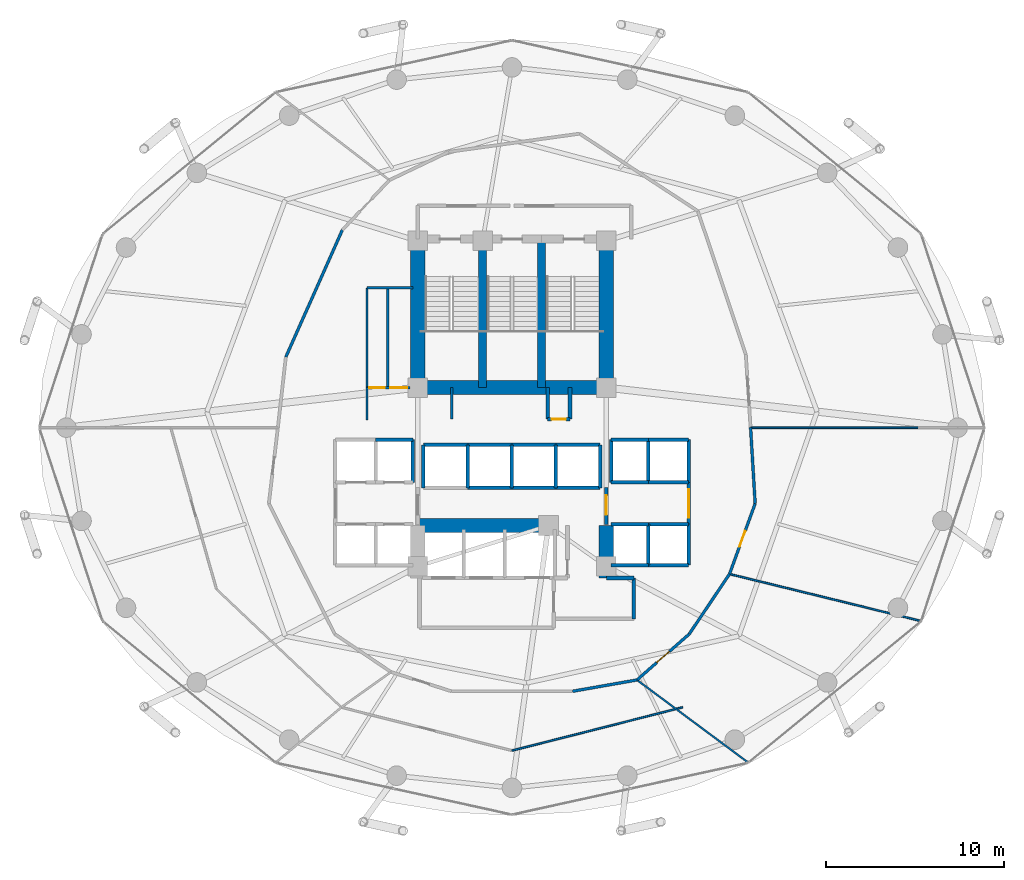
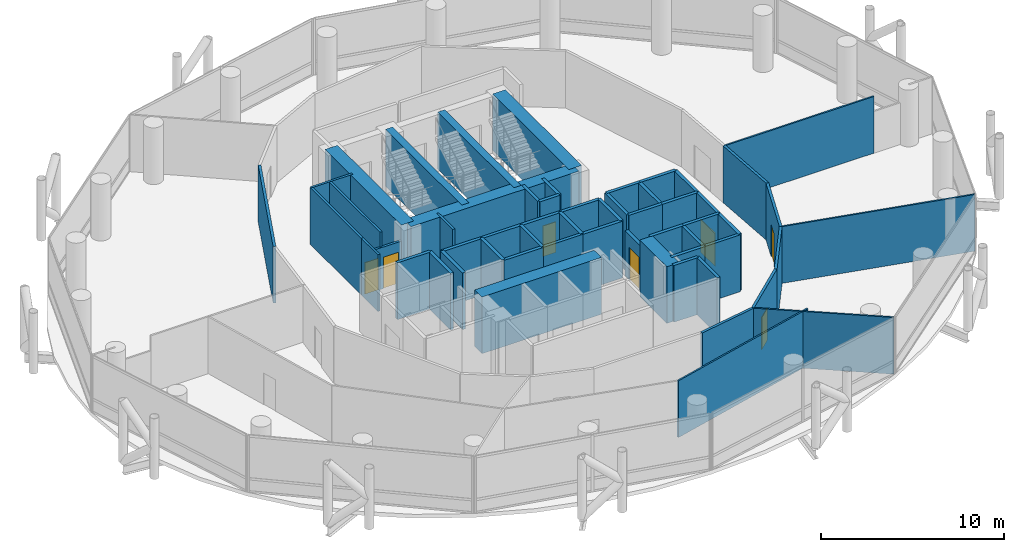
# One storey, part 22 of 24: 57 walls, 7 doors, 7 openings.
"""IFC4 building model written with IfcOpenShell, lengths in metres."""

from ifc_helpers import new_model, si_unit, direction, frame, frame_2d, origin, place, context, subcontext, project, spatial, rectangle, extrude, material, layer, layer_set, type_object, element, fill, save


model = new_model("IFC4")

# Units and contexts
model_context = context("Model", 3, precision=1e-05, world=origin(), true_north=direction((0.0, 1.0)))
body_context = subcontext(model_context, "Body", "Model", "MODEL_VIEW")
ifc_project = project(units=[si_unit("LENGTHUNIT", "METRE"), si_unit("AREAUNIT", "SQUARE_METRE"), si_unit("VOLUMEUNIT", "CUBIC_METRE"), si_unit("PLANEANGLEUNIT", "RADIAN"), si_unit("MASSUNIT", "GRAM", prefix="KILO")], contexts=[model_context])

# Site, building, storey
site_placement = place(None, origin())
site = spatial("IfcSite", under=ifc_project, at=site_placement, CompositionType="ELEMENT")
building_placement = place(site_placement, origin())
building = spatial("IfcBuilding", under=site, at=building_placement, Name="Nuhasar Tower", CompositionType="ELEMENT")
storey_placement = place(building_placement, frame((0.0, 0.0, 41.25)))
storey = spatial("IfcBuildingStorey", under=building, at=storey_placement, Name="L09", CompositionType="ELEMENT", Elevation=41.25)

# Walls
ifc_material_1 = material(Name="Concrete C50/60", Category="concrete")
ifc_layer_1 = layer(ifc_material_1, 0.449951171875)
ifc_layer_set_1 = layer_set([ifc_layer_1], Name="Concrete C50/60")
wall_type_1 = type_object("IfcWallType", Name="WL-CORE-450", PredefinedType="SHEAR", material=ifc_layer_set_1)
for number, where, z_axis, x_axis, name in (
    (1, (37.35009765625, 29.050048828125, 0.0), (0.0, 0.0, 1.0), (0.0, 1.0, 0.0), "L09 Stairwell Shear Wall ST01-E"),
    (2, (40.64990234375, 29.050048828125, 0.0), (0.0, 0.0, 1.0), (0.0, 1.0, 0.0), "L09 Stairwell Shear Wall ST03-E"),
):
    element("IfcWall", number, at=place(storey_placement, frame(where, z_axis=z_axis, x_axis=x_axis)), inside=storey, type_object=wall_type_1, Name=name, PredefinedType="SHEAR", context=body_context, shape_type="SweptSolid", body=[
        extrude(rectangle(XDim=8.349853515625, YDim=0.449951171875, at=frame_2d((4.1748046875, 0.0))), origin(), (0.0, 0.0, 1.0), 3.7900390625),
    ])
ifc_material_2 = material(Name="Concrete C80/95", Category="concrete")
ifc_layer_2 = layer(ifc_material_2, 0.800048828125)
ifc_layer_set_2 = layer_set([ifc_layer_2], Name="Concrete C80/95")
wall_type_2 = type_object("IfcWallType", Name="WL-CORE-800", PredefinedType="SHEAR", material=ifc_layer_set_2)
for number, where, z_axis, x_axis, name in (
    (3, (33.699951171875, 29.050048828125, 0.0), (0.0, 0.0, 1.0), (0.0, 1.0, 0.0), "L09 Core Shear Wall CW-NW CW-800"),
    (4, (44.300048828125, 29.050048828125, 0.0), (0.0, 0.0, 1.0), (0.0, 1.0, 0.0), "L09 Core Shear Wall CW-NE CW-800"),
):
    element("IfcWall", number, at=place(storey_placement, frame(where, z_axis=z_axis, x_axis=x_axis)), inside=storey, type_object=wall_type_2, Name=name, PredefinedType="SHEAR", context=body_context, shape_type="SweptSolid", body=[
        extrude(rectangle(XDim=8.349853515625, YDim=0.800048828125, at=frame_2d((4.1748046875, 0.0))), origin(), (0.0, 0.0, 1.0), 3.7900390625),
    ])
wall_1_placement = place(storey_placement, frame((44.300048828125, 18.35009765625, 0.0), z_axis=(0.0, 0.0, 1.0), x_axis=(0.0, 1.0, 0.0)))
element("IfcWall", 5, at=wall_1_placement, inside=storey, type_object=wall_type_2, Name="L09 Core Shear Wall CW-SE CW-800", PredefinedType="SHEAR", context=body_context, shape_type="SweptSolid", body=[
    extrude(rectangle(XDim=2.949951171875, YDim=0.800048828125, at=frame_2d((1.47509765625, 0.0))), origin(), (0.0, 0.0, 1.0), 3.7900390625),
])
wall_2_placement = place(storey_placement, frame((33.699951171875, 29.050048828125, 0.0), z_axis=(0.0, 0.0, 1.0), x_axis=(1.0, 0.0, 0.0)))
element("IfcWall", 6, at=wall_2_placement, inside=storey, type_object=wall_type_2, Name="L09 Core Shear Wall CW-N1 CW-800", PredefinedType="SHEAR", context=body_context, shape_type="SweptSolid", body=[
    extrude(rectangle(XDim=10.60009765625, YDim=0.800048828125, at=frame_2d((5.300048828125, 0.0))), origin(), (0.0, 0.0, 1.0), 3.7900390625),
])
wall_3_placement = place(storey_placement, frame((33.699951171875, 21.300048828125, 0.0), z_axis=(0.0, 0.0, 1.0), x_axis=(1.0, 0.0, 0.0)))
element("IfcWall", 7, at=wall_3_placement, inside=storey, type_object=wall_type_2, Name="L09 Core Shear Wall CW-S1 CW-800", PredefinedType="SHEAR", context=body_context, shape_type="SweptSolid", body=[
    extrude(rectangle(XDim=7.550048828125, YDim=0.800048828125, at=frame_2d((3.77490234375, 0.0))), origin(), (0.0, 0.0, 1.0), 3.7900390625),
])
ifc_material_3 = material(Name="Gypsum Board", Category="gypsum")
ifc_layer_3 = layer(ifc_material_3, 0.159912109375)
ifc_layer_set_3 = layer_set([ifc_layer_3], Name="Gypsum Board")
wall_type_3 = type_object("IfcWallType", Name="WL-CORR-160", PredefinedType="PARTITIONING", material=ifc_layer_set_3)
wall_4_placement = place(storey_placement, frame((29.466064453125, 37.9130859375, 0.0), z_axis=(0.0, 0.0, 1.0), x_axis=(-0.406489021754, -0.913655665551, 0.0)))
element("IfcWall", 8, at=wall_4_placement, inside=storey, type_object=wall_type_3, Name="L09 Interior Partition CORR-18", PredefinedType="PARTITIONING", context=body_context, shape_type="SweptSolid", body=[
    extrude(rectangle(XDim=7.818115234375, YDim=0.159912109375, at=frame_2d((3.9091796875, 0.0))), origin(), (0.0, 0.0, 1.0), 3.7900390625),
])
wall_5_placement = place(storey_placement, frame((42.406005859375, 11.98291015625, 0.0), z_axis=(0.0, 0.0, 1.0), x_axis=(0.98489842452, 0.173133166602, 0.0)))
element("IfcWall", 9, at=wall_5_placement, inside=storey, type_object=wall_type_3, Name="L09 Interior Partition CORR-38", PredefinedType="PARTITIONING", context=body_context, shape_type="SweptSolid", body=[
    extrude(rectangle(XDim=3.67333984375, YDim=0.159912109375, at=frame_2d((1.836669921875, 0.0))), origin(), (0.0, 0.0, 1.0), 3.7900390625),
])

# Wall, opening, door
wall_6_placement = place(storey_placement, frame((48.95703125, 15.194091796875, 0.0), z_axis=(0.0, 0.0, 1.0), x_axis=(-0.751467454478, -0.659770160632, 0.0)))
wall_6 = element("IfcWall", 10, at=wall_6_placement, inside=storey, type_object=wall_type_3, Name="L09 Interior Partition CORR-40", PredefinedType="PARTITIONING", context=body_context, shape_type="SweptSolid", body=[
    extrude(rectangle(XDim=3.903076171875, YDim=0.159912109375, at=frame_2d((1.95166015625, 0.0))), origin(), (0.0, 0.0, 1.0), 3.7900390625),
])
opening_1_placement = place(wall_6_placement, frame((1.47607421875, 0.0, 0.0)))
opening_1 = element("IfcOpeningElement", 11, at=opening_1_placement, cuts=wall_6, Name="Opening DO-01", PredefinedType="OPENING", context=body_context, shape_type="SweptSolid", body=[
    extrude(rectangle(XDim=0.949951171875, YDim=2.14990234375, at=frame_2d((0.47509765625, 1.074951171875))), frame((0.0, 0.08984375, 0.0), z_axis=(0.0, -1.0, 0.0), x_axis=(1.0, 0.0, 0.0)), (0.0, 0.0, 1.0), 0.179931640625),
])
ifc_material_4 = material(Name="Timber Oak", Category="wood")
door_type_1 = type_object("IfcDoorType", Name="DR-OFFICE-FD30-950", OperationType="NOTDEFINED", PredefinedType="DOOR", material=ifc_material_4)
door_1_placement = place(opening_1_placement, origin())
door_1 = element("IfcDoor", 12, at=door_1_placement, inside=storey, type_object=door_type_1, Name="L09 Executive Dining Pantry Entry Door", OperationType="SINGLE_SWING_LEFT", OverallHeight=2.14990234375, OverallWidth=0.949951171875, PredefinedType="DOOR", context=body_context, shape_type="SweptSolid", body=[
    extrude(rectangle(XDim=0.949951171875, YDim=2.14990234375, at=frame_2d((0.47509765625, 1.074951171875))), frame((0.0, 0.02490234375, 0.0), z_axis=(0.0, -1.0, 0.0), x_axis=(1.0, 0.0, 0.0)), (0.0, 0.0, 1.0), 0.050048828125),
])
fill(opening_1, door_1)

# Wall
wall_7_placement = place(storey_placement, frame((48.95703125, 15.194091796875, 0.0), z_axis=(0.0, 0.0, 1.0), x_axis=(0.557769650613, 0.829995793276, 0.0)))
element("IfcWall", 13, at=wall_7_placement, inside=storey, type_object=wall_type_3, Name="L09 Interior Partition CORR-42", PredefinedType="PARTITIONING", context=body_context, shape_type="SweptSolid", body=[
    extrude(rectangle(XDim=4.06982421875, YDim=0.159912109375, at=frame_2d((2.034912109375, 0.0))), origin(), (0.0, 0.0, 1.0), 3.7900390625),
])

# Wall, opening, door
wall_8_placement = place(storey_placement, frame((52.6669921875, 22.531982421875, 0.0), z_axis=(0.0, 0.0, 1.0), x_axis=(-0.341733758737, -0.939796806836, 0.0)))
wall_8 = element("IfcWall", 14, at=wall_8_placement, inside=storey, type_object=wall_type_3, Name="L09 Interior Partition CORR-44", PredefinedType="PARTITIONING", context=body_context, shape_type="SweptSolid", body=[
    extrude(rectangle(XDim=4.213623046875, YDim=0.159912109375, at=frame_2d((2.10693359375, 0.0))), origin(), (0.0, 0.0, 1.0), 3.7900390625),
])
opening_2_placement = place(wall_8_placement, frame((1.632080078125, 0.0, 0.0)))
opening_2 = element("IfcOpeningElement", 15, at=opening_2_placement, cuts=wall_8, Name="Opening DO-01", PredefinedType="OPENING", context=body_context, shape_type="SweptSolid", body=[
    extrude(rectangle(XDim=0.949951171875, YDim=2.14990234375, at=frame_2d((0.47509765625, 1.074951171875))), frame((0.0, 0.08984375, 0.0), z_axis=(0.0, -1.0, 0.0), x_axis=(1.0, 0.0, 0.0)), (0.0, 0.0, 1.0), 0.179931640625),
])
door_2_placement = place(opening_2_placement, origin())
door_2 = element("IfcDoor", 16, at=door_2_placement, inside=storey, type_object=door_type_1, Name="L09 Records Vault Store Entry Door", OperationType="SINGLE_SWING_LEFT", OverallHeight=2.14990234375, OverallWidth=0.949951171875, PredefinedType="DOOR", context=body_context, shape_type="SweptSolid", body=[
    extrude(rectangle(XDim=0.949951171875, YDim=2.14990234375, at=frame_2d((0.47509765625, 1.074951171875))), frame((0.0, 0.02490234375, 0.0), z_axis=(0.0, -1.0, 0.0), x_axis=(1.0, 0.0, 0.0)), (0.0, 0.0, 1.0), 0.050048828125),
])
fill(opening_2, door_2)

# Wall
wall_9_placement = place(storey_placement, frame((52.6669921875, 22.531982421875, 0.0), z_axis=(0.0, 0.0, 1.0), x_axis=(-0.060124414151, 0.998190890974, 0.0)))
element("IfcWall", 17, at=wall_9_placement, inside=storey, type_object=wall_type_3, Name="L09 Interior Partition CORR-46", PredefinedType="PARTITIONING", context=body_context, shape_type="SweptSolid", body=[
    extrude(rectangle(XDim=4.27587890625, YDim=0.159912109375, at=frame_2d((2.137939453125, 0.0))), origin(), (0.0, 0.0, 1.0), 3.7900390625),
])

# Wall, opening, door
ifc_material_5 = material(Name="Concrete C45/55", Category="concrete")
ifc_layer_4 = layer(ifc_material_5, 0.199951171875)
ifc_layer_set_4 = layer_set([ifc_layer_4], Name="Concrete C45/55")
wall_type_4 = type_object("IfcWallType", Name="WL-LOBBY-200", PredefinedType="SOLIDWALL", material=ifc_layer_set_4)
wall_10_placement = place(storey_placement, frame((48.929931640625, 21.3798828125, 0.0), z_axis=(0.0, 0.0, 1.0), x_axis=(0.0, 1.0, 0.0)))
wall_10 = element("IfcWall", 18, at=wall_10_placement, inside=storey, type_object=wall_type_4, Name="L09 Interior Partition LLBM-E", PredefinedType="SOLIDWALL", context=body_context, shape_type="SweptSolid", body=[
    extrude(rectangle(XDim=2.340087890625, YDim=0.199951171875, at=frame_2d((1.169921875, 0.0))), origin(), (0.0, 0.0, 1.0), 3.7900390625),
])
opening_3_placement = place(wall_10_placement, frame((0.3701171875, 0.0, 0.0)))
opening_3 = element("IfcOpeningElement", 19, at=opening_3_placement, cuts=wall_10, Name="Opening DC-01", PredefinedType="OPENING", context=body_context, shape_type="SweptSolid", body=[
    extrude(rectangle(XDim=1.60009765625, YDim=2.199951171875, at=frame_2d((0.800048828125, 1.10009765625))), frame((0.0, 0.10986328125, 0.0), z_axis=(0.0, -1.0, 0.0), x_axis=(1.0, 0.0, 0.0)), (0.0, 0.0, 1.0), 0.219970703125),
])
ifc_material_6 = material(Name="Steel S355", Category="steel")
door_type_2 = type_object("IfcDoorType", Name="DR-CORR-FD60-1600", OperationType="DOUBLE_DOOR_SINGLE_SWING", PredefinedType="DOOR", material=ifc_material_6)
door_3_placement = place(opening_3_placement, origin())
door_3 = element("IfcDoor", 20, at=door_3_placement, inside=storey, type_object=door_type_2, Name="L09 Mid-Rise Lift Lobby East Entry", OperationType="DOUBLE_DOOR_SINGLE_SWING", OverallHeight=2.199951171875, OverallWidth=1.60009765625, PredefinedType="DOOR", context=body_context, shape_type="SweptSolid", body=[
    extrude(rectangle(XDim=1.60009765625, YDim=2.199951171875, at=frame_2d((0.800048828125, 1.10009765625))), frame((0.0, 0.02490234375, 0.0), z_axis=(0.0, -1.0, 0.0), x_axis=(1.0, 0.0, 0.0)), (0.0, 0.0, 1.0), 0.050048828125),
])
fill(opening_3, door_3)

wall_11_placement = place(storey_placement, frame((44.300048828125, 21.35009765625, 0.0), z_axis=(0.0, 0.0, 1.0), x_axis=(0.0, 1.0, 0.0)))
wall_11 = element("IfcWall", 21, at=wall_11_placement, inside=storey, type_object=wall_type_4, Name="L09 Interior Partition LLBH-E", PredefinedType="SOLIDWALL", context=body_context, shape_type="SweptSolid", body=[
    extrude(rectangle(XDim=2.099853515625, YDim=0.199951171875, at=frame_2d((1.0498046875, 0.0))), origin(), (0.0, 0.0, 1.0), 3.010009765625),
])
opening_4_placement = place(wall_11_placement, frame((0.550048828125, 0.0, 0.0)))
opening_4 = element("IfcOpeningElement", 22, at=opening_4_placement, cuts=wall_11, Name="Opening DS-02", PredefinedType="OPENING", context=body_context, shape_type="SweptSolid", body=[
    extrude(rectangle(XDim=1.10009765625, YDim=2.14990234375, at=frame_2d((0.550048828125, 1.074951171875))), frame((0.0, 0.10986328125, 0.0), z_axis=(0.0, -1.0, 0.0), x_axis=(1.0, 0.0, 0.0)), (0.0, 0.0, 1.0), 0.219970703125),
])
door_type_3 = type_object("IfcDoorType", Name="DR-FFL-FD120-1100", OperationType="NOTDEFINED", PredefinedType="DOOR", material=ifc_material_6)
door_4_placement = place(opening_4_placement, origin())
door_4 = element("IfcDoor", 23, at=door_4_placement, inside=storey, type_object=door_type_3, Name="L09 High-Rise Lobby East Door", OperationType="SINGLE_SWING_RIGHT", OverallHeight=2.14990234375, OverallWidth=1.10009765625, PredefinedType="DOOR", context=body_context, shape_type="SweptSolid", body=[
    extrude(rectangle(XDim=1.10009765625, YDim=2.14990234375, at=frame_2d((0.550048828125, 1.074951171875))), frame((0.0, 0.02490234375, 0.0), z_axis=(0.0, -1.0, 0.0), x_axis=(1.0, 0.0, 0.0)), (0.0, 0.0, 1.0), 0.050048828125),
])
fill(opening_4, door_4)

# Walls
wall_12_placement = place(storey_placement, frame((45.85009765625, 16.050048828125, 0.0), z_axis=(0.0, 0.0, 1.0), x_axis=(0.0, 1.0, 0.0)))
element("IfcWall", 24, at=wall_12_placement, inside=storey, type_object=wall_type_4, Name="L09 Interior Partition SVLV-E", PredefinedType="SOLIDWALL", context=body_context, shape_type="SweptSolid", body=[
    extrude(rectangle(XDim=2.300048828125, YDim=0.199951171875, at=frame_2d((1.14990234375, 0.0))), origin(), (0.0, 0.0, 1.0), 3.7900390625),
])
wall_13_placement = place(storey_placement, frame((44.300048828125, 18.35009765625, 0.0), z_axis=(0.0, 0.0, 1.0), x_axis=(1.0, 0.0, 0.0)))
element("IfcWall", 25, at=wall_13_placement, inside=storey, type_object=wall_type_4, Name="L09 Interior Partition SVLV-N", PredefinedType="SOLIDWALL", context=body_context, shape_type="SweptSolid", body=[
    extrude(rectangle(XDim=1.550048828125, YDim=0.199951171875, at=frame_2d((0.77490234375, 0.0))), origin(), (0.0, 0.0, 1.0), 3.7900390625),
])
ifc_material_7 = material(Name="Aluminium 6063-T6", Category="aluminium")
ifc_layer_5 = layer(ifc_material_7, 0.10009765625)
ifc_layer_set_5 = layer_set([ifc_layer_5], Name="Aluminium 6063-T6")
wall_type_5 = type_object("IfcWallType", Name="WL-MOVABLE-100", PredefinedType="MOVABLE", material=ifc_layer_set_5)
wall_14_placement = place(storey_placement, frame((52.409912109375, 26.800048828125, 0.0), z_axis=(0.0, 0.0, 1.0), x_axis=(1.0, 0.0, 0.0)))
element("IfcWall", 26, at=wall_14_placement, inside=storey, type_object=wall_type_5, Name="L09 Interior Partition ORAD-00", PredefinedType="MOVABLE", context=body_context, shape_type="SweptSolid", body=[
    extrude(rectangle(XDim=9.43017578125, YDim=0.10009765625, at=frame_2d((4.715087890625, 0.0))), origin(), (0.0, 0.0, 1.0), 3.7900390625),
])
wall_15_placement = place(storey_placement, frame((39.0, 8.64794921875, 0.0), z_axis=(0.0, 0.0, 1.0), x_axis=(0.96932580987, 0.245779320368, 0.0)))
element("IfcWall", 27, at=wall_15_placement, inside=storey, type_object=wall_type_5, Name="L09 Interior Partition OMID-04-36", PredefinedType="MOVABLE", context=body_context, shape_type="SweptSolid", body=[
    extrude(rectangle(XDim=9.8955078125, YDim=0.10009765625, at=frame_2d((4.94775390625, 0.0))), origin(), (0.0, 0.0, 1.0), 3.7900390625),
])
wall_16_placement = place(storey_placement, frame((46.02392578125, 12.618896484375, 0.0), z_axis=(0.0, 0.0, 1.0), x_axis=(0.802859849019, -0.596167814322, 0.0)))
element("IfcWall", 28, at=wall_16_placement, inside=storey, type_object=wall_type_5, Name="L09 Interior Partition ORAD-40", PredefinedType="MOVABLE", context=body_context, shape_type="SweptSolid", body=[
    extrude(rectangle(XDim=7.77099609375, YDim=0.10009765625, at=frame_2d((3.885498046875, 0.0))), origin(), (0.0, 0.0, 1.0), 3.7900390625),
])
wall_17_placement = place(storey_placement, frame((51.22705078125, 18.572021484375, 0.0), z_axis=(0.0, 0.0, 1.0), x_axis=(0.971216816961, -0.238197175574, 0.0)))
element("IfcWall", 29, at=wall_17_placement, inside=storey, type_object=wall_type_5, Name="L09 Interior Partition ORAD-44", PredefinedType="MOVABLE", context=body_context, shape_type="SweptSolid", body=[
    extrude(rectangle(XDim=11.062255859375, YDim=0.10009765625, at=frame_2d((5.53125, 0.0))), origin(), (0.0, 0.0, 1.0), 3.7900390625),
])
ifc_layer_6 = layer(ifc_material_5, 0.199951171875)
ifc_layer_set_6 = layer_set([ifc_layer_6], Name="Concrete C45/55")
wall_type_6 = type_object("IfcWallType", Name="WL-SHAFT-200", PredefinedType="SOLIDWALL", material=ifc_layer_set_6)
for number, where, z_axis, x_axis, name in (
    (30, (41.0, 27.280029296875, 0.0), (0.0, 0.0, 1.0), (0.0, 1.0, 0.0), "L09 Interior Partition RSRN-W"),
    (31, (42.260009765625, 27.280029296875, 0.0), (0.0, 0.0, 1.0), (0.0, 1.0, 0.0), "L09 Interior Partition RSRN-E"),
):
    element("IfcWall", number, at=place(storey_placement, frame(where, z_axis=z_axis, x_axis=x_axis)), inside=storey, type_object=wall_type_6, Name=name, PredefinedType="SOLIDWALL", context=body_context, shape_type="SweptSolid", body=[
        extrude(rectangle(XDim=1.77001953125, YDim=0.199951171875, at=frame_2d((0.885009765625, 0.0))), origin(), (0.0, 0.0, 1.0), 3.7900390625),
    ])

# Wall, opening, door
wall_18_placement = place(storey_placement, frame((41.0, 27.280029296875, 0.0), z_axis=(0.0, 0.0, 1.0), x_axis=(1.0, 0.0, 0.0)))
wall_18 = element("IfcWall", 32, at=wall_18_placement, inside=storey, type_object=wall_type_6, Name="L09 Interior Partition RSRN-S", PredefinedType="SOLIDWALL", context=body_context, shape_type="SweptSolid", body=[
    extrude(rectangle(XDim=1.260009765625, YDim=0.199951171875, at=frame_2d((0.6298828125, 0.0))), origin(), (0.0, 0.0, 1.0), 3.7900390625),
])
opening_5_placement = place(wall_18_placement, frame((0.22998046875, 0.0, 0.0)))
opening_5 = element("IfcOpeningElement", 33, at=opening_5_placement, cuts=wall_18, Name="Opening DM-01", PredefinedType="OPENING", context=body_context, shape_type="SweptSolid", body=[
    extrude(rectangle(XDim=0.800048828125, YDim=2.050048828125, at=frame_2d((0.39990234375, 1.02490234375))), frame((0.0, 0.10986328125, 0.0), z_axis=(0.0, -1.0, 0.0), x_axis=(1.0, 0.0, 0.0)), (0.0, 0.0, 1.0), 0.219970703125),
])
door_type_4 = type_object("IfcDoorType", Name="DR-RISER-FD60-800", OperationType="NOTDEFINED", PredefinedType="DOOR", material=ifc_material_6)
door_5_placement = place(opening_5_placement, origin())
door_5 = element("IfcDoor", 34, at=door_5_placement, inside=storey, type_object=door_type_4, Name="L09 North Smoke Riser Door", OperationType="SINGLE_SWING_RIGHT", OverallHeight=2.050048828125, OverallWidth=0.800048828125, PredefinedType="DOOR", context=body_context, shape_type="SweptSolid", body=[
    extrude(rectangle(XDim=0.800048828125, YDim=2.050048828125, at=frame_2d((0.39990234375, 1.02490234375))), frame((0.0, 0.02490234375, 0.0), z_axis=(0.0, -1.0, 0.0), x_axis=(1.0, 0.0, 0.0)), (0.0, 0.0, 1.0), 0.050048828125),
])
fill(opening_5, door_5)

# Walls
wall_19_placement = place(storey_placement, frame((31.320068359375, 26.1298828125, 0.0), z_axis=(0.0, 0.0, 1.0), x_axis=(1.0, 0.0, 0.0)))
element("IfcWall", 35, at=wall_19_placement, inside=storey, type_object=wall_type_6, Name="L09 Interior Partition SHF-PL-L02-N", PredefinedType="SOLIDWALL", context=body_context, shape_type="SweptSolid", body=[
    extrude(rectangle(XDim=2.10986328125, YDim=0.199951171875, at=frame_2d((1.054931640625, 0.0))), origin(), (0.0, 0.0, 1.0), 3.7900390625),
])
wall_20_placement = place(storey_placement, frame((33.429931640625, 23.719970703125, 0.0), z_axis=(0.0, 0.0, 1.0), x_axis=(0.0, 1.0, 0.0)))
element("IfcWall", 36, at=wall_20_placement, inside=storey, type_object=wall_type_6, Name="L09 Interior Partition SHF-PL-L02-E", PredefinedType="SOLIDWALL", context=body_context, shape_type="SweptSolid", body=[
    extrude(rectangle(XDim=2.409912109375, YDim=0.199951171875, at=frame_2d((1.205078125, 0.0))), origin(), (0.0, 0.0, 1.0), 3.7900390625),
])
for number, where, z_axis, x_axis, name in (
    (37, (44.570068359375, 23.719970703125, 0.0), (0.0, 0.0, 1.0), (1.0, 0.0, 0.0), "L09 Interior Partition SHF-PL-M01-S"),
    (38, (44.570068359375, 26.1298828125, 0.0), (0.0, 0.0, 1.0), (1.0, 0.0, 0.0), "L09 Interior Partition SHF-PL-M01-N"),
):
    element("IfcWall", number, at=place(storey_placement, frame(where, z_axis=z_axis, x_axis=x_axis)), inside=storey, type_object=wall_type_6, Name=name, PredefinedType="SOLIDWALL", context=body_context, shape_type="SweptSolid", body=[
        extrude(rectangle(XDim=2.10986328125, YDim=0.199951171875, at=frame_2d((1.054931640625, 0.0))), origin(), (0.0, 0.0, 1.0), 3.7900390625),
    ])
for number, where, z_axis, x_axis, name in (
    (39, (44.570068359375, 23.719970703125, 0.0), (0.0, 0.0, 1.0), (0.0, 1.0, 0.0), "L09 Interior Partition SHF-PL-M01-W"),
    (40, (46.64990234375, 23.719970703125, 0.0), (0.0, 0.0, 1.0), (0.0, 1.0, 0.0), "L09 Interior Partition SHF-PL-M01-E"),
):
    element("IfcWall", number, at=place(storey_placement, frame(where, z_axis=z_axis, x_axis=x_axis)), inside=storey, type_object=wall_type_6, Name=name, PredefinedType="SOLIDWALL", context=body_context, shape_type="SweptSolid", body=[
        extrude(rectangle(XDim=2.409912109375, YDim=0.199951171875, at=frame_2d((1.205078125, 0.0))), origin(), (0.0, 0.0, 1.0), 3.7900390625),
    ])
for number, where, z_axis, x_axis, name in (
    (41, (46.6201171875, 23.719970703125, 0.0), (0.0, 0.0, 1.0), (1.0, 0.0, 0.0), "L09 Interior Partition SHF-PL-M02-S"),
    (42, (46.6201171875, 26.1298828125, 0.0), (0.0, 0.0, 1.0), (1.0, 0.0, 0.0), "L09 Interior Partition SHF-PL-M02-N"),
):
    element("IfcWall", number, at=place(storey_placement, frame(where, z_axis=z_axis, x_axis=x_axis)), inside=storey, type_object=wall_type_6, Name=name, PredefinedType="SOLIDWALL", context=body_context, shape_type="SweptSolid", body=[
        extrude(rectangle(XDim=2.309814453125, YDim=0.199951171875, at=frame_2d((1.15478515625, 0.0))), origin(), (0.0, 0.0, 1.0), 3.7900390625),
    ])
wall_21_placement = place(storey_placement, frame((48.929931640625, 23.719970703125, 0.0), z_axis=(0.0, 0.0, 1.0), x_axis=(0.0, 1.0, 0.0)))
element("IfcWall", 43, at=wall_21_placement, inside=storey, type_object=wall_type_6, Name="L09 Interior Partition SHF-PL-M02-E", PredefinedType="SOLIDWALL", context=body_context, shape_type="SweptSolid", body=[
    extrude(rectangle(XDim=2.409912109375, YDim=0.199951171875, at=frame_2d((1.205078125, 0.0))), origin(), (0.0, 0.0, 1.0), 3.7900390625),
])
for number, where, z_axis, x_axis, name in (
    (44, (44.570068359375, 19.070068359375, 0.0), (0.0, 0.0, 1.0), (1.0, 0.0, 0.0), "L09 Interior Partition SHF-PL-M03-S"),
    (45, (44.570068359375, 21.3798828125, 0.0), (0.0, 0.0, 1.0), (1.0, 0.0, 0.0), "L09 Interior Partition SHF-PL-M03-N"),
):
    element("IfcWall", number, at=place(storey_placement, frame(where, z_axis=z_axis, x_axis=x_axis)), inside=storey, type_object=wall_type_6, Name=name, PredefinedType="SOLIDWALL", context=body_context, shape_type="SweptSolid", body=[
        extrude(rectangle(XDim=2.10986328125, YDim=0.199951171875, at=frame_2d((1.054931640625, 0.0))), origin(), (0.0, 0.0, 1.0), 3.7900390625),
    ])
for number, where, z_axis, x_axis, name in (
    (46, (46.64990234375, 19.070068359375, 0.0), (0.0, 0.0, 1.0), (0.0, 1.0, 0.0), "L09 Interior Partition SHF-PL-M03-E"),
    (47, (46.6201171875, 19.070068359375, 0.0), (0.0, 0.0, 1.0), (1.0, 0.0, 0.0), "L09 Interior Partition SHF-PL-M04-S"),
    (48, (46.6201171875, 21.3798828125, 0.0), (0.0, 0.0, 1.0), (1.0, 0.0, 0.0), "L09 Interior Partition SHF-PL-M04-N"),
    (49, (48.929931640625, 19.070068359375, 0.0), (0.0, 0.0, 1.0), (0.0, 1.0, 0.0), "L09 Interior Partition SHF-PL-M04-E"),
):
    element("IfcWall", number, at=place(storey_placement, frame(where, z_axis=z_axis, x_axis=x_axis)), inside=storey, type_object=wall_type_6, Name=name, PredefinedType="SOLIDWALL", context=body_context, shape_type="SweptSolid", body=[
        extrude(rectangle(XDim=2.309814453125, YDim=0.199951171875, at=frame_2d((1.15478515625, 0.0))), origin(), (0.0, 0.0, 1.0), 3.7900390625),
    ])
wall_22_placement = place(storey_placement, frame((34.02001953125, 25.830078125, 0.0), z_axis=(0.0, 0.0, 1.0), x_axis=(1.0, 0.0, 0.0)))
element("IfcWall", 50, at=wall_22_placement, inside=storey, type_object=wall_type_6, Name="L09 Interior Partition SHF-PL-H01-N", PredefinedType="SOLIDWALL", context=body_context, shape_type="SweptSolid", body=[
    extrude(rectangle(XDim=2.5, YDim=0.199951171875, at=frame_2d((1.25, 0.0))), origin(), (0.0, 0.0, 1.0), 3.7900390625),
])
for number, where, z_axis, x_axis, name in (
    (51, (34.02001953125, 23.419921875, 0.0), (0.0, 0.0, 1.0), (0.0, 1.0, 0.0), "L09 Interior Partition SHF-PL-H01-W"),
    (52, (36.510009765625, 23.419921875, 0.0), (0.0, 0.0, 1.0), (0.0, 1.0, 0.0), "L09 Interior Partition SHF-PL-H01-E"),
):
    element("IfcWall", number, at=place(storey_placement, frame(where, z_axis=z_axis, x_axis=x_axis)), inside=storey, type_object=wall_type_6, Name=name, PredefinedType="SOLIDWALL", context=body_context, shape_type="SweptSolid", body=[
        extrude(rectangle(XDim=2.41015625, YDim=0.199951171875, at=frame_2d((1.205078125, 0.0))), origin(), (0.0, 0.0, 1.0), 3.7900390625),
    ])
for number, where, z_axis, x_axis, name in (
    (53, (36.5, 23.419921875, 0.0), (0.0, 0.0, 1.0), (1.0, 0.0, 0.0), "L09 Interior Partition SHF-PL-H02-S"),
    (54, (36.5, 25.830078125, 0.0), (0.0, 0.0, 1.0), (1.0, 0.0, 0.0), "L09 Interior Partition SHF-PL-H02-N"),
):
    element("IfcWall", number, at=place(storey_placement, frame(where, z_axis=z_axis, x_axis=x_axis)), inside=storey, type_object=wall_type_6, Name=name, PredefinedType="SOLIDWALL", context=body_context, shape_type="SweptSolid", body=[
        extrude(rectangle(XDim=2.5, YDim=0.199951171875, at=frame_2d((1.25, 0.0))), origin(), (0.0, 0.0, 1.0), 3.7900390625),
    ])
wall_23_placement = place(storey_placement, frame((38.989990234375, 23.419921875, 0.0), z_axis=(0.0, 0.0, 1.0), x_axis=(0.0, 1.0, 0.0)))
element("IfcWall", 55, at=wall_23_placement, inside=storey, type_object=wall_type_6, Name="L09 Interior Partition SHF-PL-H02-E", PredefinedType="SOLIDWALL", context=body_context, shape_type="SweptSolid", body=[
    extrude(rectangle(XDim=2.41015625, YDim=0.199951171875, at=frame_2d((1.205078125, 0.0))), origin(), (0.0, 0.0, 1.0), 3.7900390625),
])
for number, where, z_axis, x_axis, name in (
    (56, (38.97998046875, 23.419921875, 0.0), (0.0, 0.0, 1.0), (1.0, 0.0, 0.0), "L09 Interior Partition SHF-PL-H03-S"),
    (57, (38.97998046875, 25.830078125, 0.0), (0.0, 0.0, 1.0), (1.0, 0.0, 0.0), "L09 Interior Partition SHF-PL-H03-N"),
):
    element("IfcWall", number, at=place(storey_placement, frame(where, z_axis=z_axis, x_axis=x_axis)), inside=storey, type_object=wall_type_6, Name=name, PredefinedType="SOLIDWALL", context=body_context, shape_type="SweptSolid", body=[
        extrude(rectangle(XDim=2.5, YDim=0.199951171875, at=frame_2d((1.25, 0.0))), origin(), (0.0, 0.0, 1.0), 3.7900390625),
    ])
wall_24_placement = place(storey_placement, frame((41.469970703125, 23.419921875, 0.0), z_axis=(0.0, 0.0, 1.0), x_axis=(0.0, 1.0, 0.0)))
element("IfcWall", 58, at=wall_24_placement, inside=storey, type_object=wall_type_6, Name="L09 Interior Partition SHF-PL-H03-E", PredefinedType="SOLIDWALL", context=body_context, shape_type="SweptSolid", body=[
    extrude(rectangle(XDim=2.41015625, YDim=0.199951171875, at=frame_2d((1.205078125, 0.0))), origin(), (0.0, 0.0, 1.0), 3.7900390625),
])
for number, where, z_axis, x_axis, name in (
    (59, (41.4599609375, 23.419921875, 0.0), (0.0, 0.0, 1.0), (1.0, 0.0, 0.0), "L09 Interior Partition SHF-PL-H04-S"),
    (60, (41.4599609375, 25.830078125, 0.0), (0.0, 0.0, 1.0), (1.0, 0.0, 0.0), "L09 Interior Partition SHF-PL-H04-N"),
):
    element("IfcWall", number, at=place(storey_placement, frame(where, z_axis=z_axis, x_axis=x_axis)), inside=storey, type_object=wall_type_6, Name=name, PredefinedType="SOLIDWALL", context=body_context, shape_type="SweptSolid", body=[
        extrude(rectangle(XDim=2.5, YDim=0.199951171875, at=frame_2d((1.25, 0.0))), origin(), (0.0, 0.0, 1.0), 3.7900390625),
    ])
wall_25_placement = place(storey_placement, frame((43.9599609375, 23.419921875, 0.0), z_axis=(0.0, 0.0, 1.0), x_axis=(0.0, 1.0, 0.0)))
element("IfcWall", 61, at=wall_25_placement, inside=storey, type_object=wall_type_6, Name="L09 Interior Partition SHF-PL-H04-E", PredefinedType="SOLIDWALL", context=body_context, shape_type="SweptSolid", body=[
    extrude(rectangle(XDim=2.41015625, YDim=0.199951171875, at=frame_2d((1.205078125, 0.0))), origin(), (0.0, 0.0, 1.0), 3.7900390625),
])
ifc_material_8 = material(Name="Concrete C40/50 precast", Category="concrete")
ifc_layer_7 = layer(ifc_material_8, 0.139892578125)
ifc_layer_set_7 = layer_set([ifc_layer_7], Name="Concrete C40/50 precast")
wall_type_7 = type_object("IfcWallType", Name="WL-WET-140", PredefinedType="PARTITIONING", material=ifc_layer_set_7)
wall_26_placement = place(storey_placement, frame((35.60009765625, 27.280029296875, 0.0), z_axis=(0.0, 0.0, 1.0), x_axis=(0.0, 1.0, 0.0)))
element("IfcWall", 62, at=wall_26_placement, inside=storey, type_object=wall_type_7, Name="L09 Interior Partition CSVC-W", PredefinedType="PARTITIONING", context=body_context, shape_type="SweptSolid", body=[
    extrude(rectangle(XDim=1.77001953125, YDim=0.139892578125, at=frame_2d((0.885009765625, 0.0))), origin(), (0.0, 0.0, 1.0), 3.7900390625),
])
wall_27_placement = place(storey_placement, frame((30.85009765625, 27.239990234375, 0.0), z_axis=(0.0, 0.0, 1.0), x_axis=(0.0, 1.0, 0.0)))
element("IfcWall", 63, at=wall_27_placement, inside=storey, type_object=wall_type_7, Name="L09 Interior Partition K2-FOY-W", PredefinedType="PARTITIONING", context=body_context, shape_type="SweptSolid", body=[
    extrude(rectangle(XDim=1.81005859375, YDim=0.139892578125, at=frame_2d((0.905029296875, 0.0))), origin(), (0.0, 0.0, 1.0), 3.7900390625),
])

# Wall, openings, doors
wall_28_placement = place(storey_placement, frame((30.85009765625, 29.050048828125, 0.0), z_axis=(0.0, 0.0, 1.0), x_axis=(1.0, 0.0, 0.0)))
wall_28 = element("IfcWall", 64, at=wall_28_placement, inside=storey, type_object=wall_type_7, Name="L09 Interior Partition K2-NW-S", PredefinedType="PARTITIONING", context=body_context, shape_type="SweptSolid", body=[
    extrude(rectangle(XDim=2.429931640625, YDim=0.139892578125, at=frame_2d((1.21484375, 0.0))), origin(), (0.0, 0.0, 1.0), 2.780029296875),
])
opening_6_placement = place(wall_28_placement, frame((0.139892578125, 0.0, 0.0)))
opening_6 = element("IfcOpeningElement", 65, at=opening_6_placement, cuts=wall_28, Name="Opening DB-01", PredefinedType="OPENING", context=body_context, shape_type="SweptSolid", body=[
    extrude(rectangle(XDim=0.85009765625, YDim=2.10009765625, at=frame_2d((0.425048828125, 1.050048828125))), frame((0.0, 0.080078125, 0.0), z_axis=(0.0, -1.0, 0.0), x_axis=(1.0, 0.0, 0.0)), (0.0, 0.0, 1.0), 0.159912109375),
])
opening_7_placement = place(wall_28_placement, frame((1.300048828125, 0.0, 0.0)))
opening_7 = element("IfcOpeningElement", 66, at=opening_7_placement, cuts=wall_28, Name="Opening DA-01", PredefinedType="OPENING", context=body_context, shape_type="SweptSolid", body=[
    extrude(rectangle(XDim=0.949951171875, YDim=2.10009765625, at=frame_2d((0.47509765625, 1.050048828125))), frame((0.0, 0.080078125, 0.0), z_axis=(0.0, -1.0, 0.0), x_axis=(1.0, 0.0, 0.0)), (0.0, 0.0, 1.0), 0.159912109375),
])
door_type_5 = type_object("IfcDoorType", Name="DR-ACCWC-950", OperationType="NOTDEFINED", PredefinedType="DOOR", material=ifc_material_4)
door_6_placement = place(opening_7_placement, origin())
door_6 = element("IfcDoor", 67, at=door_6_placement, inside=storey, type_object=door_type_5, Name="L09 NW Accessible WC Door", OperationType="SINGLE_SWING_RIGHT", OverallHeight=2.10009765625, OverallWidth=0.949951171875, PredefinedType="DOOR", context=body_context, shape_type="SweptSolid", body=[
    extrude(rectangle(XDim=0.949951171875, YDim=2.10009765625, at=frame_2d((0.47509765625, 1.050048828125))), frame((0.0, 0.02490234375, 0.0), z_axis=(0.0, -1.0, 0.0), x_axis=(1.0, 0.0, 0.0)), (0.0, 0.0, 1.0), 0.050048828125),
])
fill(opening_7, door_6)
door_type_6 = type_object("IfcDoorType", Name="DR-BATH-850", OperationType="NOTDEFINED", PredefinedType="DOOR", material=ifc_material_4)
door_7_placement = place(opening_6_placement, origin())
door_7 = element("IfcDoor", 68, at=door_7_placement, inside=storey, type_object=door_type_6, Name="L09 NW Female WC Door", OperationType="SINGLE_SWING_LEFT", OverallHeight=2.10009765625, OverallWidth=0.85009765625, PredefinedType="DOOR", context=body_context, shape_type="SweptSolid", body=[
    extrude(rectangle(XDim=0.85009765625, YDim=2.10009765625, at=frame_2d((0.425048828125, 1.050048828125))), frame((0.0, 0.02490234375, 0.0), z_axis=(0.0, -1.0, 0.0), x_axis=(1.0, 0.0, 0.0)), (0.0, 0.0, 1.0), 0.050048828125),
])
fill(opening_6, door_7)

# Walls
wall_29_placement = place(storey_placement, frame((32.02001953125, 29.050048828125, 0.0), z_axis=(0.0, 0.0, 1.0), x_axis=(0.0, 1.0, 0.0)))
element("IfcWall", 69, at=wall_29_placement, inside=storey, type_object=wall_type_7, Name="L09 Interior Partition K2-NW-V", PredefinedType="PARTITIONING", context=body_context, shape_type="SweptSolid", body=[
    extrude(rectangle(XDim=5.599853515625, YDim=0.139892578125, at=frame_2d((2.7998046875, 0.0))), origin(), (0.0, 0.0, 1.0), 3.7900390625),
])
wall_30_placement = place(storey_placement, frame((30.85009765625, 34.64990234375, 0.0), z_axis=(0.0, 0.0, 1.0), x_axis=(1.0, 0.0, 0.0)))
element("IfcWall", 70, at=wall_30_placement, inside=storey, type_object=wall_type_7, Name="L09 Interior Partition K2-NW-N", PredefinedType="PARTITIONING", context=body_context, shape_type="SweptSolid", body=[
    extrude(rectangle(XDim=2.599853515625, YDim=0.139892578125, at=frame_2d((1.2998046875, 0.0))), origin(), (0.0, 0.0, 1.0), 3.7900390625),
])
wall_31_placement = place(storey_placement, frame((30.85009765625, 29.050048828125, 0.0), z_axis=(0.0, 0.0, 1.0), x_axis=(0.0, 1.0, 0.0)))
element("IfcWall", 71, at=wall_31_placement, inside=storey, type_object=wall_type_7, Name="L09 Interior Partition K2-NW-W", PredefinedType="PARTITIONING", context=body_context, shape_type="SweptSolid", body=[
    extrude(rectangle(XDim=5.599853515625, YDim=0.139892578125, at=frame_2d((2.7998046875, 0.0))), origin(), (0.0, 0.0, 1.0), 3.7900390625),
])

save(model, "model.ifc")
